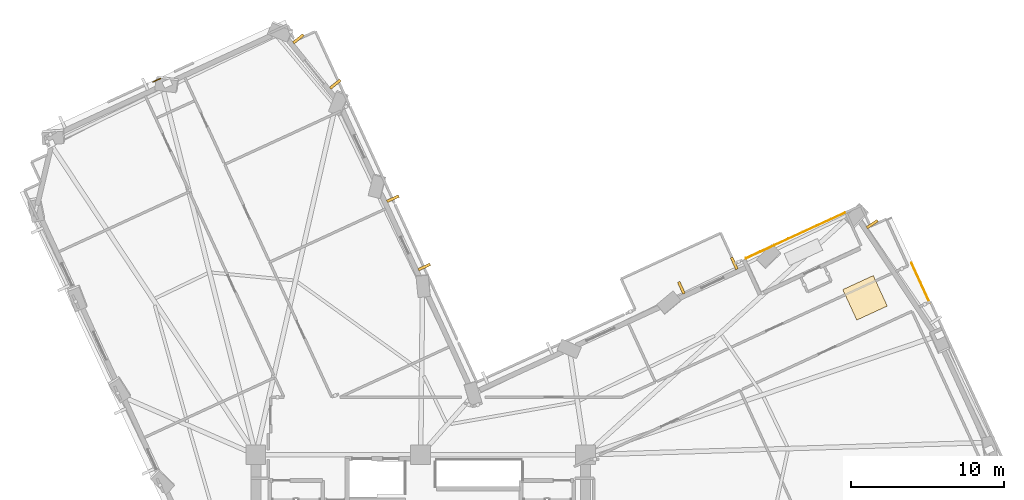
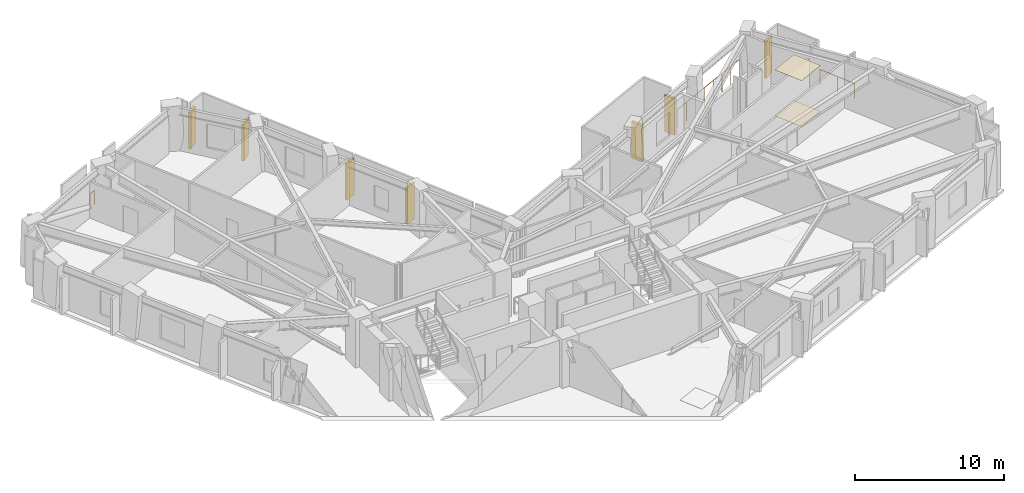
# One storey, part 15 of 16: 7 shading devices, 3 railings, 2 coverings.
"""IFC4 building model written with IfcOpenShell, lengths in metres."""

from ifc_helpers import new_model, si_unit, direction, frame, origin, origin_2d, place, context, subcontext, project, spatial, rectangle, circle, extrude, material, layer, layer_set, type_object, element, save


model = new_model("IFC4")

# Units and contexts
model_context = context("Model", 3, precision=1e-05, world=origin(), true_north=direction((0.0, 1.0)))
body_context = subcontext(model_context, "Body", "Model", "MODEL_VIEW")
ifc_project = project(units=[si_unit("LENGTHUNIT", "METRE"), si_unit("AREAUNIT", "SQUARE_METRE"), si_unit("VOLUMEUNIT", "CUBIC_METRE"), si_unit("PLANEANGLEUNIT", "RADIAN"), si_unit("MASSUNIT", "GRAM", prefix="KILO")], contexts=[model_context])

# Site, building, storey
site_placement = place(None, origin())
site = spatial("IfcSite", under=ifc_project, at=site_placement, CompositionType="ELEMENT")
building_placement = place(site_placement, origin())
building = spatial("IfcBuilding", under=site, at=building_placement, Name="Gaonmaruhae Medical Tower", CompositionType="ELEMENT")
storey_placement = place(building_placement, frame((0.0, 0.0, 128.39990234375)))
storey = spatial("IfcBuildingStorey", under=building, at=storey_placement, Name="L30", CompositionType="ELEMENT", Elevation=128.39990234375)

# Coverings
ifc_material_1 = material(Name="Acoustic mineral ceiling tile", Category="finish")
ifc_layer_1 = layer(ifc_material_1, 0.02490234375)
ifc_layer_set_1 = layer_set([ifc_layer_1], Name="Acoustic mineral ceiling tile")
covering_type_1 = type_object("IfcCoveringType", Name="CLG-01 Antimicrobial Acoustic Mineral Ceiling", PredefinedType="CEILING", material=ifc_layer_set_1)
covering_1_placement = place(storey_placement, frame((53.913330078125, 27.084716796875, 3.755126953125), z_axis=(0.0, 0.0, 1.0), x_axis=(0.908508177527, 0.417867073801, 0.0)))
element("IfcCovering", 1, at=covering_1_placement, inside=storey, type_object=covering_type_1, Name="L30 Clinical Corridor Acoustic Ceiling", PredefinedType="CEILING", context=body_context, shape_type="SweptSolid", body=[
    extrude(rectangle(XDim=2.199951171875, YDim=2.199951171875, at=origin_2d()), origin(), (0.0, 0.0, 1.0), 0.02490234375),
])
ifc_material_2 = material(Name="Seamless clinical vinyl flooring", Category="finish")
ifc_layer_2 = layer(ifc_material_2, 0.014892578125)
ifc_layer_set_2 = layer_set([ifc_layer_2], Name="Seamless clinical vinyl flooring")
covering_type_2 = type_object("IfcCoveringType", Name="FLR-01 Seamless Clinical Antistatic Vinyl Flooring", PredefinedType="FLOORING", material=ifc_layer_set_2)
covering_2_placement = place(storey_placement, frame((53.913330078125, 27.084716796875, 0.00048828125), z_axis=(0.0, 0.0, 1.0), x_axis=(0.908508177527, 0.417867073801, 0.0)))
element("IfcCovering", 2, at=covering_2_placement, inside=storey, type_object=covering_type_2, Name="L30 Clinical Corridor Vinyl Flooring", PredefinedType="FLOORING", context=body_context, shape_type="SweptSolid", body=[
    extrude(rectangle(XDim=2.199951171875, YDim=2.199951171875, at=origin_2d()), origin(), (0.0, 0.0, 1.0), 0.014892578125),
])

# Railings
ifc_material_3 = material(Name="Stainless steel 316L and laminated safety glass", Category="steel")
ifc_layer_3 = layer(ifc_material_3, 0.080078125)
ifc_layer_set_3 = layer_set([ifc_layer_3], Name="Stainless steel 316L and laminated safety glass")
railing_type_1 = type_object("IfcRailingType", Name="GD-120 Outdoor Terrace Safety Glass & Steel Balustrade", PredefinedType="BALUSTRADE", material=ifc_layer_set_3)
railing_1_placement = place(storey_placement, frame((56.959228515625, 29.365966796875, 0.0)))
element("IfcRailing", 3, at=railing_1_placement, inside=storey, type_object=railing_type_1, Name="L30 Perimeter Slab Edge Safety Balustrade 02", PredefinedType="BALUSTRADE", context=body_context, shape_type="SweptSolid", body=[
    extrude(circle(Radius=0.02392578125, at=origin_2d()), frame((0.0, 0.0, 1.17578125), z_axis=(0.417907027954, -0.908489799605, 0.0), x_axis=(0.908489799605, 0.417907027954, 0.0)), (0.0, 0.0, 1.0), 2.838623046875),
    extrude(circle(Radius=0.02099609375, at=origin_2d()), origin(), (0.0, 0.0, 1.0), 1.15185546875),
    extrude(circle(Radius=0.02099609375, at=origin_2d()), frame((0.59326171875, -1.28955078125, 0.0)), (0.0, 0.0, 1.0), 1.15185546875),
    extrude(circle(Radius=0.02099609375, at=origin_2d()), frame((1.186279296875, -2.578857421875, 0.0)), (0.0, 0.0, 1.0), 1.15185546875),
])
railing_2_placement = place(storey_placement, frame((7.27978515625, 41.2353515625, 0.0)))
element("IfcRailing", 4, at=railing_2_placement, inside=storey, type_object=railing_type_1, Name="L30 Perimeter Slab Edge Safety Balustrade 03", PredefinedType="BALUSTRADE", context=body_context, shape_type="SweptSolid", body=[
    extrude(circle(Radius=0.02392578125, at=origin_2d()), frame((0.0, 0.0, 1.17578125), z_axis=(0.908580030357, 0.417710819151, 0.0), x_axis=(-0.417710819151, 0.908580030357, 0.0)), (0.0, 0.0, 1.0), 0.517333984375),
    extrude(circle(Radius=0.02099609375, at=origin_2d()), origin(), (0.0, 0.0, 1.0), 1.15185546875),
    extrude(circle(Radius=0.02099609375, at=origin_2d()), frame((0.469970703125, 0.216064453125, 0.0)), (0.0, 0.0, 1.0), 1.15185546875),
])
ifc_layer_4 = layer(ifc_material_3, 0.080078125)
ifc_layer_set_4 = layer_set([ifc_layer_4], Name="Stainless steel 316L and laminated safety glass")
railing_type_2 = type_object("IfcRailingType", Name="GD-155 Planter-Edge Raised Safety Balustrade", PredefinedType="BALUSTRADE", material=ifc_layer_set_4)
railing_3_placement = place(storey_placement, frame((52.649658203125, 32.681396484375, 0.0)))
element("IfcRailing", 5, at=railing_3_placement, inside=storey, type_object=railing_type_2, Name="L30 Terrace Safety Guard RL-SLB-L30-TER-03", PredefinedType="BALUSTRADE", context=body_context, shape_type="SweptSolid", body=[
    extrude(circle(Radius=0.02392578125, at=origin_2d()), frame((0.0, 0.0, 1.52587890625), z_axis=(-0.908500493879, -0.417883778844, 0.0), x_axis=(0.417883778844, -0.908500493879, 0.0)), (0.0, 0.0, 1.0), 7.199951171875),
    extrude(circle(Radius=0.02099609375, at=origin_2d()), origin(), (0.0, 0.0, 1.0), 1.501953125),
    extrude(circle(Radius=0.02099609375, at=origin_2d()), frame((-0.9345703125, -0.429931640625, 0.0)), (0.0, 0.0, 1.0), 1.501953125),
    extrude(circle(Radius=0.02099609375, at=origin_2d()), frame((-1.868896484375, -0.859619140625, 0.0)), (0.0, 0.0, 1.0), 1.501953125),
    extrude(circle(Radius=0.02099609375, at=origin_2d()), frame((-2.803466796875, -1.28955078125, 0.0)), (0.0, 0.0, 1.0), 1.501953125),
    extrude(circle(Radius=0.02099609375, at=origin_2d()), frame((-3.73779296875, -1.71923828125, 0.0)), (0.0, 0.0, 1.0), 1.501953125),
    extrude(circle(Radius=0.02099609375, at=origin_2d()), frame((-4.67236328125, -2.149169921875, 0.0)), (0.0, 0.0, 1.0), 1.501953125),
    extrude(circle(Radius=0.02099609375, at=origin_2d()), frame((-5.606689453125, -2.578857421875, 0.0)), (0.0, 0.0, 1.0), 1.501953125),
    extrude(circle(Radius=0.02099609375, at=origin_2d()), frame((-6.541259765625, -3.0087890625, 0.0)), (0.0, 0.0, 1.0), 1.501953125),
])

# Shading devices
ifc_material_4 = material(Name="Pigmented coral precast concrete C45/55", Category="concrete")
shading_device_type = type_object("IfcShadingDeviceType", Name="SD-FIN1 Tower Vertical Coral Precast Shading Fin", PredefinedType="USERDEFINED", material=ifc_material_4)
for number, where, z_axis, x_axis, name in (
    (6, (54.38720703125, 31.91162109375, 0.08251953125), (0.0, 0.0, 1.0), (0.551791436375, -0.833982140542, 0.0), "L30 Vertical Coral Precast Shading Fin E02"),
    (7, (41.8798828125, 27.744384765625, 0.072509765625), (0.0, 0.0, 1.0), (0.908508177527, 0.417867073801, 0.0), "L30 Vertical Coral Precast Shading Fin EN01"),
    (8, (45.347900390625, 29.33935546875, 0.072509765625), (0.0, 0.0, 1.0), (0.908508177527, 0.417867073801, 0.0), "L30 Vertical Coral Precast Shading Fin EN01B"),
    (9, (22.976318359375, 33.574951171875, 0.08251953125), (0.0, 0.0, 1.0), (0.417867073801, -0.908508177527, 0.0), "L30 Vertical Coral Precast Shading Fin NE01"),
    (10, (25.033203125, 29.1025390625, 0.08251953125), (0.0, 0.0, 1.0), (0.417867073801, -0.908508177527, 0.0), "L30 Vertical Coral Precast Shading Fin NE01B"),
    (11, (16.789306640625, 44.053466796875, 0.08251953125), (0.0, 0.0, 1.0), (0.630431974144, -0.776244501415, 0.0), "L30 Vertical Coral Precast Shading Fin NE03"),
    (12, (19.202880859375, 41.08154296875, 0.08251953125), (0.0, 0.0, 1.0), (0.630431974144, -0.776244501415, 0.0), "L30 Vertical Coral Precast Shading Fin NE03B"),
):
    element("IfcShadingDevice", number, at=place(storey_placement, frame(where, z_axis=z_axis, x_axis=x_axis)), inside=storey, type_object=shading_device_type, Name=name, ObjectType="FIN", PredefinedType="USERDEFINED", context=body_context, shape_type="SweptSolid", body=[
        extrude(rectangle(XDim=0.179931640625, YDim=0.85009765625, at=origin_2d()), origin(), (0.0, 0.0, 1.0), 3.0),
    ])

save(model, "model.ifc")
